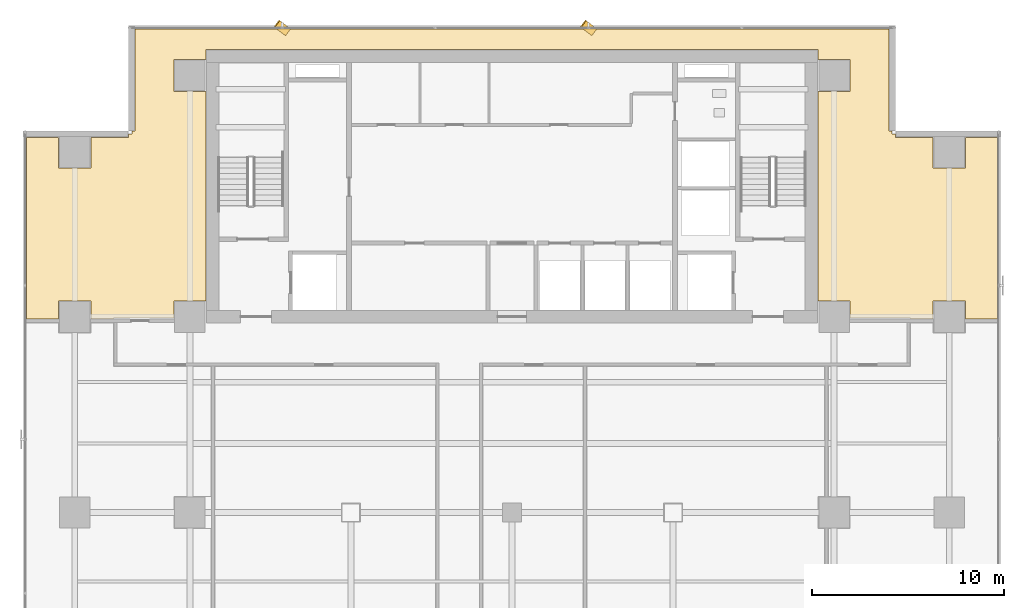
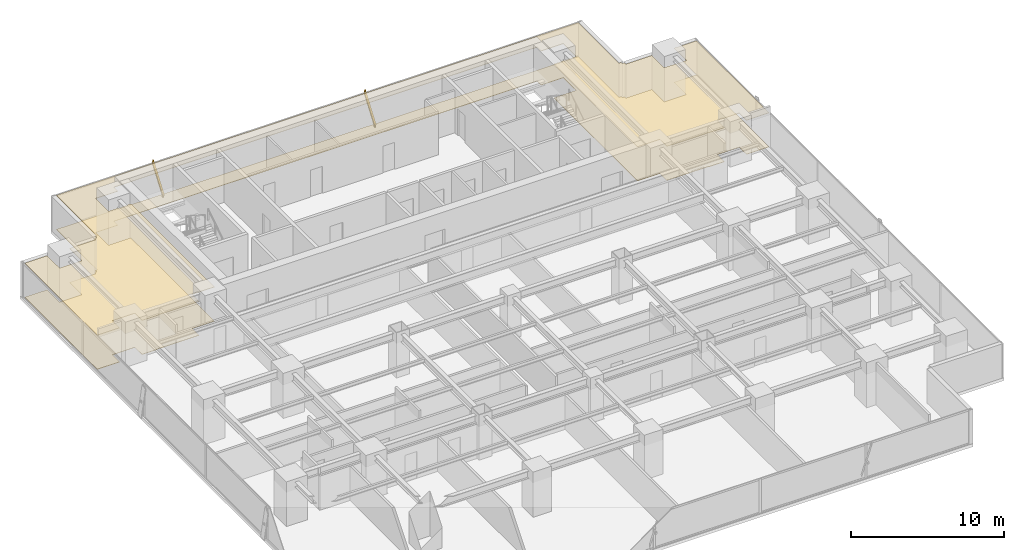
# One storey, part 33 of 35: 2 coverings, 2 shading devices.
"""IFC4 building model written with IfcOpenShell, lengths in metres."""

import ifcopenshell
import ifcopenshell.guid

model = None  # the IFC model being written
_history = None  # IfcOwnerHistory: only IFC2X3 demands one
_inside = {}  # id of a spatial element -> (the spatial element, [elements in it])
_under = {}  # id of a project, library or spatial element -> (it, [spatial elements below it])
_declared = {}  # id of a project -> (the project, [libraries it declares])
_typed = {}  # id of a type object -> (the type object, [elements of that type])
_made_of = {}  # id of a material, layer set ... -> (it, [elements and type objects made of it])


def new_model(schema):
    """Start an empty IFC model of exactly this schema.

    Asked for "IFC4X3", IfcOpenShell would pick the latest addendum, in which some entities
    have other attributes; the version numbers below select the first issue.
    IFC2X3 requires an IfcOwnerHistory on every rooted entity: one is made here for all.
    """
    global model, _history
    if schema == "IFC4X3":
        model = ifcopenshell.file(schema_version=(4, 3, 0, 0))
    else:
        model = ifcopenshell.file(schema=schema)
    _inside.clear()
    _under.clear()
    _declared.clear()
    _typed.clear()
    _made_of.clear()
    _history = None
    if model.schema == "IFC2X3":
        org = make("IfcOrganization", Name="unknown")
        user = make(
            "IfcPersonAndOrganization",
            ThePerson=make("IfcPerson", FamilyName="unknown"),
            TheOrganization=org,
        )
        app = make(
            "IfcApplication",
            ApplicationDeveloper=org,
            Version="unknown",
            ApplicationFullName="unknown",
            ApplicationIdentifier="unknown",
        )
        _history = make(
            "IfcOwnerHistory",
            OwningUser=user,
            OwningApplication=app,
            ChangeAction="ADDED",
            CreationDate=0,
        )
    return model


def make(cls, **values):
    """One entity of the class cls with the attributes given. An attribute that is None is left unset."""
    return model.create_entity(
        cls, **{name: value for name, value in values.items() if value is not None}
    )


def rooted(cls, **values):
    """An entity with a GlobalId (a new one), such as an element, a storey or a relation."""
    return make(cls, GlobalId=ifcopenshell.guid.new(), OwnerHistory=_history, **values)


def si_unit(unit_type, name, prefix=None):
    """IfcSIUnit, for example si_unit("LENGTHUNIT", "METRE", prefix="MILLI")."""
    return make("IfcSIUnit", UnitType=unit_type, Prefix=prefix, Name=name)


def assignment(units):
    """IfcUnitAssignment: the units of a project."""
    return None if units is None else make("IfcUnitAssignment", Units=units)


def point(xyz):
    """IfcCartesianPoint."""
    return None if xyz is None else make("IfcCartesianPoint", Coordinates=xyz)


def direction(xyz):
    """IfcDirection."""
    return None if xyz is None else make("IfcDirection", DirectionRatios=xyz)


def frame(location, z_axis=None, x_axis=None):
    """IfcAxis2Placement3D, a coordinate frame: its origin and axes. An axis left out is left unset."""
    return make(
        "IfcAxis2Placement3D",
        Location=point(location),
        Axis=direction(z_axis),
        RefDirection=direction(x_axis),
    )


def frame_2d(location, x_axis=None):
    """IfcAxis2Placement2D, a coordinate frame in the plane: its origin and x axis."""
    return make(
        "IfcAxis2Placement2D", Location=point(location), RefDirection=direction(x_axis)
    )


def origin():
    """The frame at (0, 0, 0) with its axes left unset."""
    return frame((0.0, 0.0, 0.0))


def origin_2d():
    """The frame at (0, 0) in the plane with its x axis left unset."""
    return frame_2d((0.0, 0.0))


def place(relative_to, where):
    """IfcLocalPlacement: puts the frame where relative to a parent placement (None: the world)."""
    return make(
        "IfcLocalPlacement", PlacementRelTo=relative_to, RelativePlacement=where
    )


def context(
    kind, dimensions, precision=None, world=None, true_north=None, identifier=None
):
    """IfcGeometricRepresentationContext, for example the 3D "Model" context."""
    return make(
        "IfcGeometricRepresentationContext",
        ContextIdentifier=identifier,
        ContextType=kind,
        CoordinateSpaceDimension=dimensions,
        Precision=precision,
        WorldCoordinateSystem=world,
        TrueNorth=true_north,
    )


def subcontext(parent, identifier, kind, view, scale=None):
    """IfcGeometricRepresentationSubContext, for example "Body" below "Model"."""
    return make(
        "IfcGeometricRepresentationSubContext",
        ContextIdentifier=identifier,
        ContextType=kind,
        ParentContext=parent,
        TargetScale=scale,
        TargetView=view,
    )


def project(units=None, contexts=None):
    """IfcProject with its units and contexts."""
    return rooted(
        "IfcProject",
        Name="project",
        RepresentationContexts=contexts,
        UnitsInContext=assignment(units),
    )


def spatial(cls, under=None, at=None, **own):
    """A site, building, storey or space (cls), placed at a placement, below another one or the project."""
    s = rooted(cls, ObjectPlacement=at, **own)
    if under is not None:
        _under.setdefault(under.id(), (under, []))[1].append(s)
    return s


def polyline(points):
    """IfcPolyline through the points."""
    return make("IfcPolyline", Points=[point(p) for p in points])


def profile(cls, at=None, kind="AREA", **sizes):
    """A parametric profile (cls). Its sizes go by their IFC names, for example OverallWidth=200.0."""
    return make(cls, ProfileType=kind, Position=at, **sizes)


def rectangle(**sizes):
    """IfcRectangleProfileDef."""
    return profile("IfcRectangleProfileDef", **sizes)


def outline(outer, holes=None, kind="AREA"):
    """IfcArbitraryClosedProfileDef: a profile drawn as a closed curve; with holes, ...WithVoids."""
    if holes is None:
        return make("IfcArbitraryClosedProfileDef", ProfileType=kind, OuterCurve=outer)
    return make(
        "IfcArbitraryProfileDefWithVoids",
        ProfileType=kind,
        OuterCurve=outer,
        InnerCurves=holes,
    )


def extrude(swept, where, along, depth):
    """IfcExtrudedAreaSolid: the profile swept, set in the frame where, extruded along a direction by depth."""
    return make(
        "IfcExtrudedAreaSolid",
        SweptArea=swept,
        Position=where,
        ExtrudedDirection=direction(along),
        Depth=depth,
    )


def shape(context_of_items, identifier, shape_type, items):
    """IfcShapeRepresentation: the items that make up one representation, for example the "Body"."""
    return make(
        "IfcShapeRepresentation",
        ContextOfItems=context_of_items,
        RepresentationIdentifier=identifier,
        RepresentationType=shape_type,
        Items=items,
    )


def source(mapping_origin, context_of_items, identifier, shape_type, items):
    """IfcRepresentationMap: a shape defined once, which mapped items show again and again."""
    return make(
        "IfcRepresentationMap",
        MappingOrigin=mapping_origin,
        MappedRepresentation=shape(context_of_items, identifier, shape_type, items),
    )


def transform(
    local_origin,
    x_axis=None,
    y_axis=None,
    z_axis=None,
    scale=None,
    scale2=None,
    scale3=None,
    uniform=True,
):
    """IfcCartesianTransformationOperator3D, or its non-uniform kind. x_axis, y_axis, z_axis: its Axis1, 2, 3."""
    if uniform:
        return make(
            "IfcCartesianTransformationOperator3D",
            Axis1=direction(x_axis),
            Axis2=direction(y_axis),
            LocalOrigin=point(local_origin),
            Scale=scale,
            Axis3=direction(z_axis),
        )
    return make(
        "IfcCartesianTransformationOperator3DnonUniform",
        Axis1=direction(x_axis),
        Axis2=direction(y_axis),
        LocalOrigin=point(local_origin),
        Scale=scale,
        Axis3=direction(z_axis),
        Scale2=scale2,
        Scale3=scale3,
    )


def mapped(mapping_source, mapping_target):
    """IfcMappedItem: shows the shape of a source again, moved by a transform."""
    return make(
        "IfcMappedItem", MappingSource=mapping_source, MappingTarget=mapping_target
    )


def material(Name=None, Category=None):
    """IfcMaterial."""
    return make("IfcMaterial", Name=Name, Category=Category)


def layer(
    of_material, thickness, ventilated=None, Name=None, Category=None, Priority=None
):
    """IfcMaterialLayer: one layer of a wall or slab, of a material (None: an air gap)."""
    return make(
        "IfcMaterialLayer",
        Material=of_material,
        LayerThickness=thickness,
        IsVentilated=ventilated,
        Name=Name,
        Category=Category,
        Priority=Priority,
    )


def layer_set(layers, Name=None):
    """IfcMaterialLayerSet."""
    return make("IfcMaterialLayerSet", MaterialLayers=layers, LayerSetName=Name)


def material_profile(
    of_material, cross_section, Name=None, Category=None, Priority=None
):
    """IfcMaterialProfile: a cross section and its material."""
    return make(
        "IfcMaterialProfile",
        Name=Name,
        Material=of_material,
        Profile=cross_section,
        Priority=Priority,
        Category=Category,
    )


def profile_set(profiles, Name=None, composite=None):
    """IfcMaterialProfileSet."""
    return make(
        "IfcMaterialProfileSet",
        Name=Name,
        MaterialProfiles=profiles,
        CompositeProfile=composite,
    )


def made_of(thing, what):
    """Note that an element or type object is made of a material, layer set ...; save() writes the relation."""
    if what is not None:
        _made_of.setdefault(what.id(), (what, []))[1].append(thing)
    return thing


def type_object(cls, material=None, **own):
    """A type object (cls), such as IfcWallType, which elements share."""
    return made_of(rooted(cls, **own), material)


def element(
    cls,
    number,
    at=None,
    inside=None,
    cuts=None,
    type_object=None,
    material=None,
    context=None,
    identifier="Body",
    shape_type=None,
    held_by="IfcProductDefinitionShape",
    body=None,
    shapes=None,
    **own,
):
    """One element of the class cls, such as IfcWall. Its Tag is "e" and its number.

    at: its placement. inside: the storey or other place that contains it. cuts: it is an
    opening in that element (IfcRelVoidsElement). A single representation is given by context,
    identifier, shape_type and body (its items); several are given by shapes. held_by: the class
    of the entity that holds the representations. save() writes the other relations.
    """
    e = rooted(cls, Tag="e%d" % number, ObjectPlacement=at, **own)
    if body is not None:
        shapes = [shape(context, identifier, shape_type, body)]
    if shapes is not None:
        e.Representation = make(held_by, Representations=shapes)
    if inside is not None:
        _inside.setdefault(inside.id(), (inside, []))[1].append(e)
    if cuts is not None:
        rooted(
            "IfcRelVoidsElement", RelatingBuildingElement=cuts, RelatedOpeningElement=e
        )
    if type_object is not None:
        _typed.setdefault(type_object.id(), (type_object, []))[1].append(e)
    return made_of(e, material)


def aggregate(whole, parts):
    """IfcRelAggregates: a whole, such as a stair, and the parts it consists of."""
    return rooted("IfcRelAggregates", RelatingObject=whole, RelatedObjects=parts)


def save(model, path):
    """Write the relations noted so far, then the file.

    IfcRelAggregates (storeys below a building ...), IfcRelContainedInSpatialStructure (elements
    in a storey), IfcRelDefinesByType, IfcRelAssociatesMaterial and IfcRelDeclares: one each for
    every whole, place, type object, material and project.
    """
    for whole, parts in _under.values():
        aggregate(whole, parts)
    for where, things in _inside.values():
        rooted(
            "IfcRelContainedInSpatialStructure",
            RelatedElements=things,
            RelatingStructure=where,
        )
    for kind, things in _typed.values():
        rooted("IfcRelDefinesByType", RelatedObjects=things, RelatingType=kind)
    for what, things in _made_of.values():
        rooted("IfcRelAssociatesMaterial", RelatedObjects=things, RelatingMaterial=what)
    for by, libraries in _declared.values():
        rooted("IfcRelDeclares", RelatingContext=by, RelatedDefinitions=libraries)
    model.write(path)


model = new_model("IFC4")

# Units and contexts
model_context = context("Model", 3, precision=1e-05, world=origin(), true_north=direction((0.0, 1.0)))
body_context = subcontext(model_context, "Body", "Model", "MODEL_VIEW")
ifc_project = project(units=[si_unit("LENGTHUNIT", "METRE"), si_unit("AREAUNIT", "SQUARE_METRE"), si_unit("VOLUMEUNIT", "CUBIC_METRE"), si_unit("PLANEANGLEUNIT", "RADIAN"), si_unit("MASSUNIT", "GRAM", prefix="KILO")], contexts=[model_context])

# Site, building, storey
site_placement = place(None, origin())
site = spatial("IfcSite", under=ifc_project, at=site_placement, CompositionType="ELEMENT")
building_placement = place(site_placement, origin())
building = spatial("IfcBuilding", under=site, at=building_placement, Name="Sumidabori Civic Tower", CompositionType="ELEMENT")
storey_placement = place(building_placement, frame((0.0, 0.0, 102.800048828125)))
storey = spatial("IfcBuildingStorey", under=building, at=storey_placement, Name="L26", CompositionType="ELEMENT", Elevation=102.800048828125)

# Coverings
ifc_material_1 = material(Name="Acoustic Mineral Gypsum Ceiling Tile")
ifc_layer_1 = layer(ifc_material_1, 0.034912109375, Name="Acoustic Mineral Gypsum Ceiling Tile")
ifc_layer_set_1 = layer_set([ifc_layer_1], Name="Acoustic Mineral Gypsum Ceiling Tile")
covering_type_1 = type_object("IfcCoveringType", Name="CV-CEIL-AC1", PredefinedType="CEILING", material=ifc_layer_set_1)
covering_1_placement = place(storey_placement, frame((0.0, 0.0, 2.7099609375)))
element("IfcCovering", 1, at=covering_1_placement, inside=storey, type_object=covering_type_1, Name="Room Acoustic Ceiling L26-01", PredefinedType="CEILING", context=body_context, shape_type="SweptSolid", body=[
    extrude(outline(polyline([(-21.9599609375, 10.1025390625), (-21.9599609375, 11.0400390625), (-23.639892578125, 11.0400390625), (-23.639892578125, 10.1025390625), (-25.330078125, 10.1025390625), (-25.330078125, 19.572021484375), (-23.639892578125, 19.572021484375), (-23.639892578125, 17.9599609375), (-21.9599609375, 17.9599609375), (-21.9599609375, 19.572021484375), (-19.991943359375, 19.572021484375), (-19.991943359375, 19.72998046875), (-19.830078125, 19.72998046875), (-19.830078125, 19.89208984375), (-19.672119140625, 19.89208984375), (-19.672119140625, 25.22998046875), (19.672119140625, 25.22998046875), (19.672119140625, 19.89208984375), (19.830078125, 19.89208984375), (19.830078125, 19.72998046875), (19.991943359375, 19.72998046875), (19.991943359375, 19.572021484375), (21.9599609375, 19.572021484375), (21.9599609375, 17.9599609375), (23.639892578125, 17.9599609375), (23.639892578125, 19.572021484375), (25.330078125, 19.572021484375), (25.330078125, 10.1025390625), (23.639892578125, 10.1025390625), (23.639892578125, 11.0400390625), (21.9599609375, 11.0400390625), (21.9599609375, 10.1025390625), (20.784912109375, 10.1025390625), (20.784912109375, 10.135009765625), (17.639892578125, 10.135009765625), (17.639892578125, 11.0400390625), (15.952880859375, 11.0400390625), (15.952880859375, 21.9599609375), (17.639892578125, 21.9599609375), (17.639892578125, 23.639892578125), (15.952880859375, 23.639892578125), (15.952880859375, 24.153076171875), (-15.952880859375, 24.153076171875), (-15.952880859375, 23.639892578125), (-17.639892578125, 23.639892578125), (-17.639892578125, 21.9599609375), (-15.952880859375, 21.9599609375), (-15.952880859375, 11.0400390625), (-17.639892578125, 11.0400390625), (-17.639892578125, 10.135009765625), (-20.784912109375, 10.135009765625), (-20.784912109375, 10.1025390625), (-21.9599609375, 10.1025390625)])), origin(), (0.0, 0.0, 1.0), 0.034912109375),
])
ifc_material_2 = material(Name="Honed Terrazzo Tile Flooring")
ifc_layer_2 = layer(ifc_material_2, 0.030029296875, Name="Honed Terrazzo Tile Flooring")
ifc_layer_set_2 = layer_set([ifc_layer_2], Name="Honed Terrazzo Tile Flooring")
covering_type_2 = type_object("IfcCoveringType", Name="CV-FLR-TER", PredefinedType="FLOORING", material=ifc_layer_set_2)
covering_2_placement = place(storey_placement, origin())
element("IfcCovering", 2, at=covering_2_placement, inside=storey, type_object=covering_type_2, Name="Room Terrazzo Floor L26-01", PredefinedType="FLOORING", context=body_context, shape_type="SweptSolid", body=[
    extrude(outline(polyline([(-21.9599609375, 10.1025390625), (-21.9599609375, 11.0400390625), (-23.639892578125, 11.0400390625), (-23.639892578125, 10.1025390625), (-25.330078125, 10.1025390625), (-25.330078125, 19.572021484375), (-23.639892578125, 19.572021484375), (-23.639892578125, 17.9599609375), (-21.9599609375, 17.9599609375), (-21.9599609375, 19.572021484375), (-19.991943359375, 19.572021484375), (-19.991943359375, 19.72998046875), (-19.830078125, 19.72998046875), (-19.830078125, 19.89208984375), (-19.672119140625, 19.89208984375), (-19.672119140625, 25.22998046875), (19.672119140625, 25.22998046875), (19.672119140625, 19.89208984375), (19.830078125, 19.89208984375), (19.830078125, 19.72998046875), (19.991943359375, 19.72998046875), (19.991943359375, 19.572021484375), (21.9599609375, 19.572021484375), (21.9599609375, 17.9599609375), (23.639892578125, 17.9599609375), (23.639892578125, 19.572021484375), (25.330078125, 19.572021484375), (25.330078125, 10.1025390625), (23.639892578125, 10.1025390625), (23.639892578125, 11.0400390625), (21.9599609375, 11.0400390625), (21.9599609375, 10.1025390625), (20.784912109375, 10.1025390625), (20.784912109375, 10.135009765625), (17.639892578125, 10.135009765625), (17.639892578125, 11.0400390625), (15.952880859375, 11.0400390625), (15.952880859375, 21.9599609375), (17.639892578125, 21.9599609375), (17.639892578125, 23.639892578125), (15.952880859375, 23.639892578125), (15.952880859375, 24.153076171875), (-15.952880859375, 24.153076171875), (-15.952880859375, 23.639892578125), (-17.639892578125, 23.639892578125), (-17.639892578125, 21.9599609375), (-15.952880859375, 21.9599609375), (-15.952880859375, 11.0400390625), (-17.639892578125, 11.0400390625), (-17.639892578125, 10.135009765625), (-20.784912109375, 10.135009765625), (-20.784912109375, 10.1025390625), (-21.9599609375, 10.1025390625)])), origin(), (0.0, 0.0, 1.0), 0.030029296875),
])

# Shading devices
ifc_material_3 = material(Name="Anodised Bronze Aluminium AW-6063-T6", Category="aluminium")
ifc_material_profile = material_profile(ifc_material_3, rectangle(XDim=0.06005859375, YDim=0.449951171875, at=origin_2d()), Name="BRONZE FIN 450x60")
ifc_profile_set = profile_set([ifc_material_profile], Name="Anodised Bronze Aluminium AW-6063-T6")
shading_device_type = type_object("IfcShadingDeviceType", Name="SH-FIN-450", PredefinedType="USERDEFINED", material=ifc_profile_set)
shared_shape = source(origin(), body_context, "Body", "SweptSolid", [
    extrude(rectangle(XDim=0.06005859375, YDim=0.449951171875, at=origin_2d()), origin(), (0.0, 0.0, 1.0), 2.769775390625),
])
for number, where, z_axis, x_axis, name in (
    (3, (4.27392578125, 25.070068359375, 0.02001953125), (-0.202114092991, 0.151607605732, 0.967556214025), (0.774004463215, -0.580587735163, 0.252655838447), "Bronze Anodised Diagonal Fin L26-02"),
    (4, (-11.701904296875, 25.070068359375, 0.02001953125), (-0.202198633998, 0.151604904305, 0.967538973582), (0.774112159528, -0.58041539424, 0.252721852241), "Bronze Anodised Diagonal Fin L26-04"),
):
    element("IfcShadingDevice", number, at=place(storey_placement, frame(where, z_axis=z_axis, x_axis=x_axis)), inside=storey, type_object=shading_device_type, Name=name, ObjectType="FIN", PredefinedType="USERDEFINED", context=body_context, shape_type="MappedRepresentation", body=[
        mapped(shared_shape, transform((0.0, 0.0, 0.0), x_axis=(1.0, 0.0, 0.0), y_axis=(0.0, 1.0, 0.0), z_axis=(0.0, 0.0, 1.0), scale=1.0)),
    ])

save(model, "model.ifc")
